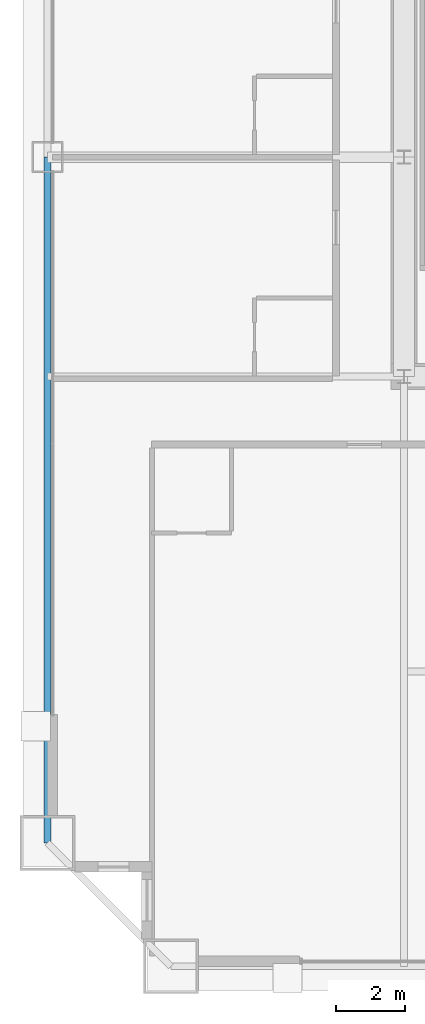
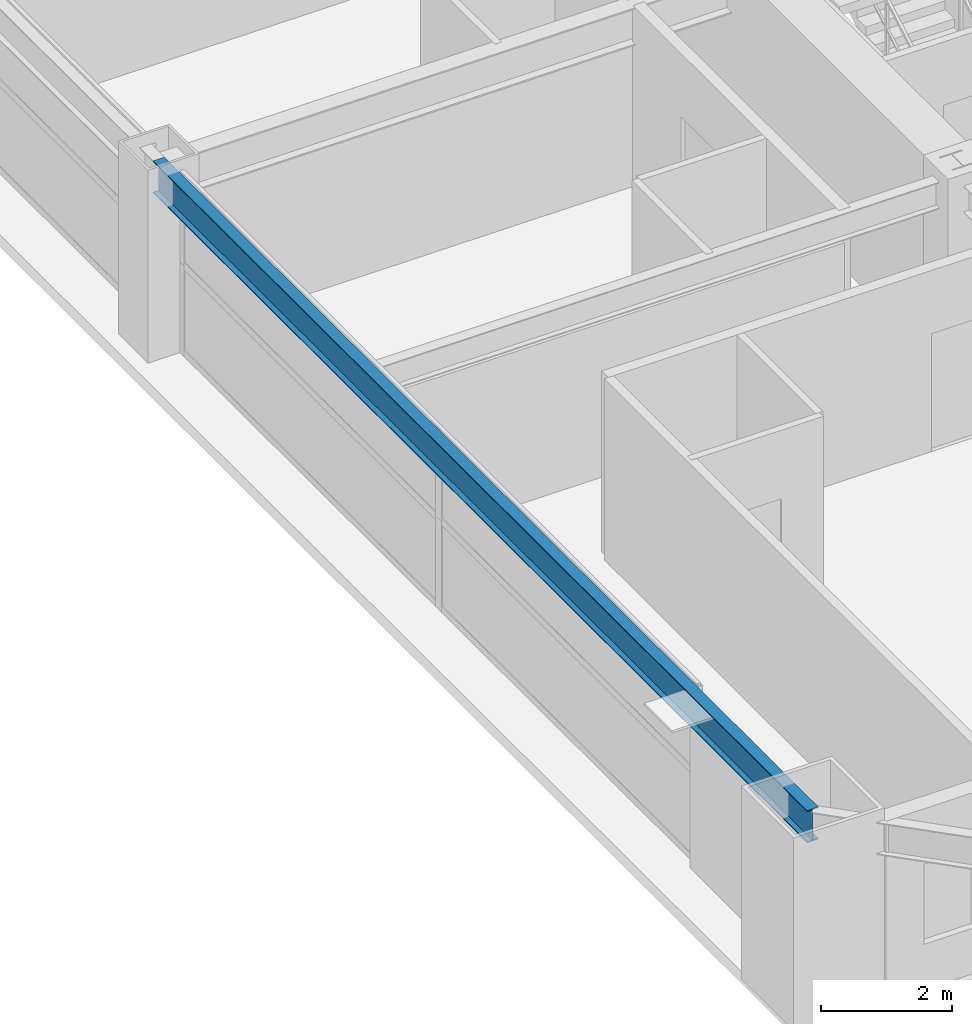
# One storey, part 7 of 39: 1 beam.
"""IFC4 building model written with IfcOpenShell, lengths in metres."""

from ifc_helpers import new_model, si_unit, direction, frame, origin, origin_2d, place, context, subcontext, project, spatial, i_section, extrude, source, transform, mapped, material, material_profile, profile_set, type_object, element, save


model = new_model("IFC4")

# Units and contexts
model_context = context("Model", 3, precision=1e-05, world=origin(), true_north=direction((0.0, 1.0)))
body_context = subcontext(model_context, "Body", "Model", "MODEL_VIEW")
ifc_project = project(units=[si_unit("LENGTHUNIT", "METRE"), si_unit("AREAUNIT", "SQUARE_METRE"), si_unit("VOLUMEUNIT", "CUBIC_METRE"), si_unit("PLANEANGLEUNIT", "RADIAN"), si_unit("MASSUNIT", "GRAM", prefix="KILO"), si_unit("THERMODYNAMICTEMPERATUREUNIT", "KELVIN"), si_unit("POWERUNIT", "WATT")], contexts=[model_context])

# Site, building, storey
site_placement = place(None, origin())
site = spatial("IfcSite", under=ifc_project, at=site_placement, CompositionType="ELEMENT")
building_placement = place(site_placement, origin())
building = spatial("IfcBuilding", under=site, at=building_placement, Name="Yuzanri Waterfront Tower", CompositionType="ELEMENT")
storey_placement = place(building_placement, frame((0.0, 0.0, 141.60009765625)))
storey = spatial("IfcBuildingStorey", under=building, at=storey_placement, Name="L37", CompositionType="ELEMENT", Elevation=141.60009765625)

# Beam
ifc_material = material(Name="Steel Q355B", Category="steel")
ifc_material_profile = material_profile(ifc_material, i_section(OverallWidth=0.199951171875, OverallDepth=0.60009765625, WebThickness=0.010986328125, FlangeThickness=0.01708984375, at=origin_2d()), Name="HN 600x200x11x17")
ifc_profile_set = profile_set([ifc_material_profile], Name="Steel Q355B")
beam_type = type_object("IfcBeamType", Name="Perimeter Spandrel Q355B HN 600x200", PredefinedType="SPANDREL", material=ifc_profile_set)
shared_shape = source(origin(), body_context, "Body", "SweptSolid", [
    extrude(i_section(OverallWidth=0.199951171875, OverallDepth=0.60009765625, WebThickness=0.010986328125, FlangeThickness=0.01708984375, at=origin_2d()), origin(), (0.0, 0.0, 1.0), 20.0),
])
beam_placement = place(storey_placement, frame((13.39990234375, 25.800048828125, 3.079833984375), z_axis=(0.0, -1.0, 0.0), x_axis=(1.0, 0.0, 0.0)))
element("IfcBeam", 1, at=beam_placement, inside=storey, type_object=beam_type, Name="L37 Perimeter Spandrel W2-W1", PredefinedType="SPANDREL", context=body_context, shape_type="MappedRepresentation", body=[
    mapped(shared_shape, transform((0.0, 0.0, 0.0), scale=1.0)),
])

save(model, "model.ifc")
